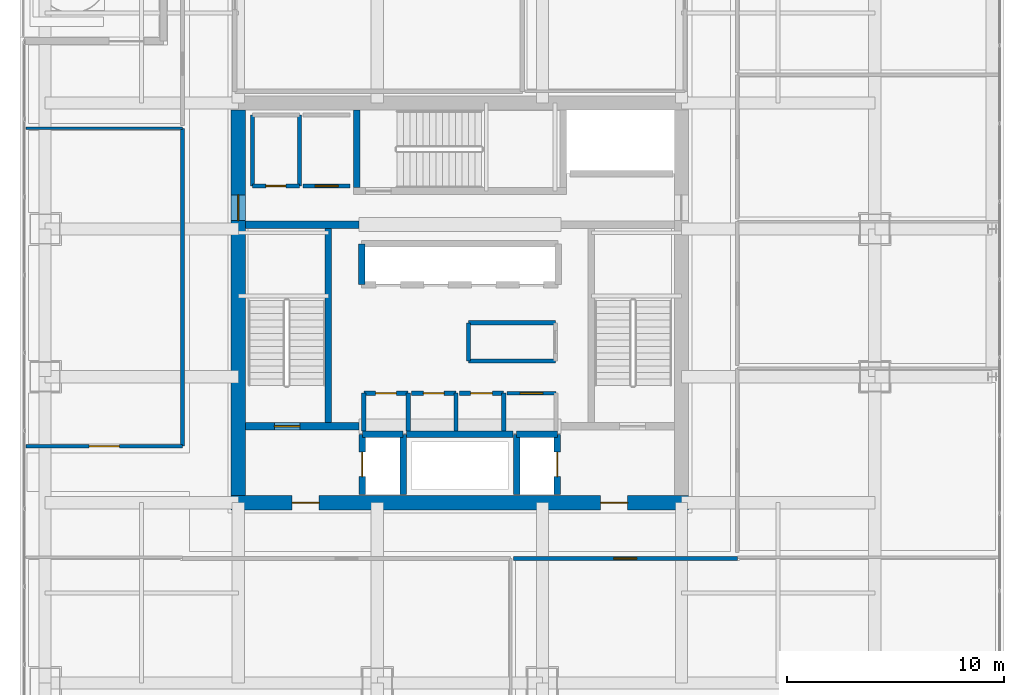
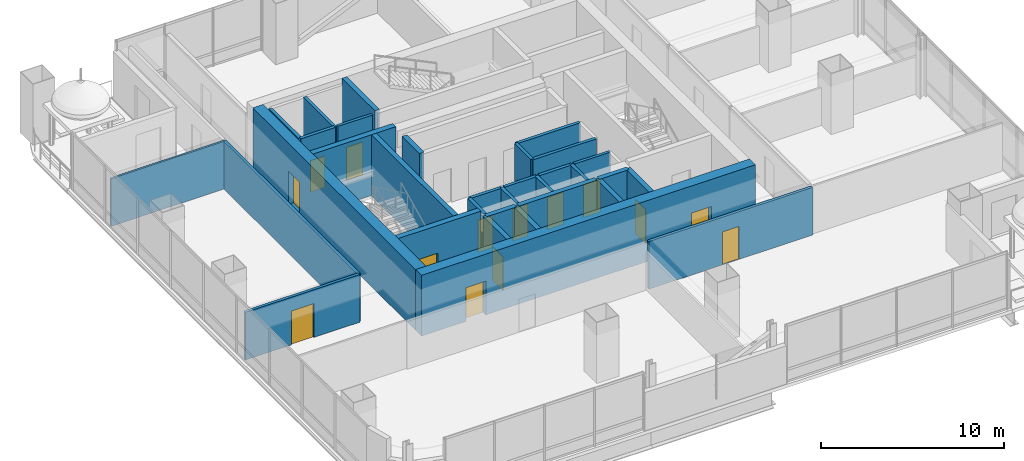
# One storey, part 30 of 41: 33 walls, 14 doors, 14 openings.
"""IFC4 building model written with IfcOpenShell, lengths in metres."""

from ifc_helpers import new_model, si_unit, direction, frame, frame_2d, origin, place, context, subcontext, project, spatial, rectangle, extrude, material, layer, layer_set, type_object, element, fill, save


model = new_model("IFC4")

# Units and contexts
model_context = context("Model", 3, precision=1e-05, world=origin(), true_north=direction((0.0, 1.0)))
body_context = subcontext(model_context, "Body", "Model", "MODEL_VIEW")
ifc_project = project(units=[si_unit("LENGTHUNIT", "METRE"), si_unit("AREAUNIT", "SQUARE_METRE"), si_unit("VOLUMEUNIT", "CUBIC_METRE"), si_unit("PLANEANGLEUNIT", "RADIAN"), si_unit("MASSUNIT", "GRAM", prefix="KILO")], contexts=[model_context])

# Site, building, storey
site_placement = place(None, origin())
site = spatial("IfcSite", under=ifc_project, at=site_placement, CompositionType="ELEMENT")
building_placement = place(site_placement, origin())
building = spatial("IfcBuilding", under=site, at=building_placement, Name="Punatoya Terracotta Tower", CompositionType="ELEMENT")
storey_placement = place(building_placement, frame((0.0, 0.0, 220.800048828125)))
storey = spatial("IfcBuildingStorey", under=building, at=storey_placement, Name="L52", CompositionType="ELEMENT", Elevation=220.800048828125)

# Wall, openings, doors
ifc_material_1 = material(Name="Concrete C60/75", Category="concrete")
ifc_layer_1 = layer(ifc_material_1, 0.64990234375)
ifc_layer_set_1 = layer_set([ifc_layer_1], Name="Concrete C60/75")
wall_type_1 = type_object("IfcWallType", Name="WL-COR-650", PredefinedType="SHEAR", material=ifc_layer_set_1)
wall_1_placement = place(storey_placement, frame((10.52490234375, -9.199951171875, 0.0), z_axis=(0.0, 0.0, 1.0), x_axis=(-1.0, 0.0, 0.0)))
wall_1 = element("IfcWall", 1, at=wall_1_placement, inside=storey, type_object=wall_type_1, Name="L52 Core Shear Wall S", PredefinedType="SHEAR", context=body_context, shape_type="SweptSolid", body=[
    extrude(rectangle(XDim=21.0498046875, YDim=0.64990234375, at=frame_2d((10.52490234375, 0.0))), origin(), (0.0, 0.0, 1.0), 4.050048828125),
])
opening_1_placement = place(wall_1_placement, frame((2.800048828125, 0.0, 0.0)))
opening_1 = element("IfcOpeningElement", 2, at=opening_1_placement, cuts=wall_1, Name="Opening FD-L1", PredefinedType="OPENING", context=body_context, shape_type="SweptSolid", body=[
    extrude(rectangle(XDim=1.25, YDim=2.25, at=frame_2d((0.625, 1.125))), frame((0.0, 0.3349609375, 0.0), z_axis=(0.0, -1.0, 0.0), x_axis=(1.0, 0.0, 0.0)), (0.0, 0.0, 1.0), 0.669921875),
])
opening_2_placement = place(wall_1_placement, frame((17.0, 0.0, 0.0)))
opening_2 = element("IfcOpeningElement", 3, at=opening_2_placement, cuts=wall_1, Name="Opening FD-L1", PredefinedType="OPENING", context=body_context, shape_type="SweptSolid", body=[
    extrude(rectangle(XDim=1.25, YDim=2.25, at=frame_2d((0.625, 1.125))), frame((0.0, 0.3349609375, 0.0), z_axis=(0.0, -1.0, 0.0), x_axis=(1.0, 0.0, 0.0)), (0.0, 0.0, 1.0), 0.669921875),
])
ifc_material_2 = material(Name="Galvanised Steel Smokeproof Fire Door", Category="steel")
door_type_1 = type_object("IfcDoorType", Name="DR-FFL-1250", OperationType="NOTDEFINED", PredefinedType="DOOR", material=ifc_material_2)
door_1_placement = place(opening_1_placement, origin())
door_1 = element("IfcDoor", 4, at=door_1_placement, inside=storey, type_object=door_type_1, Name="L52 East Firefighting Lobby Corridor Fire Door", OperationType="SINGLE_SWING_LEFT", OverallHeight=2.25, OverallWidth=1.25, PredefinedType="DOOR", context=body_context, shape_type="SweptSolid", body=[
    extrude(rectangle(XDim=1.25, YDim=2.25, at=frame_2d((0.625, 1.125))), frame((0.0, 0.02490234375, 0.0), z_axis=(0.0, -1.0, 0.0), x_axis=(1.0, 0.0, 0.0)), (0.0, 0.0, 1.0), 0.050048828125),
])
fill(opening_1, door_1)
door_2_placement = place(opening_2_placement, origin())
door_2 = element("IfcDoor", 5, at=door_2_placement, inside=storey, type_object=door_type_1, Name="L52 West Firefighting Lobby Corridor Fire Door", OperationType="SINGLE_SWING_RIGHT", OverallHeight=2.25, OverallWidth=1.25, PredefinedType="DOOR", context=body_context, shape_type="SweptSolid", body=[
    extrude(rectangle(XDim=1.25, YDim=2.25, at=frame_2d((0.625, 1.125))), frame((0.0, 0.02490234375, 0.0), z_axis=(0.0, -1.0, 0.0), x_axis=(1.0, 0.0, 0.0)), (0.0, 0.0, 1.0), 0.050048828125),
])
fill(opening_2, door_2)

# Wall, opening, door
wall_2_placement = place(storey_placement, frame((-10.199951171875, -8.875, 0.0), z_axis=(0.0, 0.0, 1.0), x_axis=(0.0, 1.0, 0.0)))
wall_2 = element("IfcWall", 6, at=wall_2_placement, inside=storey, type_object=wall_type_1, Name="L52 Core Shear Wall W", PredefinedType="SHEAR", context=body_context, shape_type="SweptSolid", body=[
    extrude(rectangle(XDim=17.75, YDim=0.64990234375, at=frame_2d((8.875, 0.0))), origin(), (0.0, 0.0, 1.0), 4.050048828125),
])
opening_3_placement = place(wall_2_placement, frame((12.6650390625, 0.0, 0.0)))
opening_3 = element("IfcOpeningElement", 7, at=opening_3_placement, cuts=wall_2, Name="Opening SD-01", PredefinedType="OPENING", context=body_context, shape_type="SweptSolid", body=[
    extrude(rectangle(XDim=1.179931640625, YDim=2.199951171875, at=frame_2d((0.58984375, 1.10009765625))), frame((0.0, 0.3349609375, 0.0), z_axis=(0.0, -1.0, 0.0), x_axis=(1.0, 0.0, 0.0)), (0.0, 0.0, 1.0), 0.669921875),
])
ifc_material_3 = material(Name="Galvanised Steel Pressurized Stair Fire Door", Category="steel")
door_type_2 = type_object("IfcDoorType", Name="DR-STR-1180", OperationType="NOTDEFINED", PredefinedType="DOOR", material=ifc_material_3)
door_3_placement = place(opening_3_placement, origin())
door_3 = element("IfcDoor", 8, at=door_3_placement, inside=storey, type_object=door_type_2, Name="L52 Central Lift Lobby West Fire Door", OperationType="SINGLE_SWING_LEFT", OverallHeight=2.199951171875, OverallWidth=1.179931640625, PredefinedType="DOOR", context=body_context, shape_type="SweptSolid", body=[
    extrude(rectangle(XDim=1.179931640625, YDim=2.199951171875, at=frame_2d((0.58984375, 1.10009765625))), frame((0.0, 0.02490234375, 0.0), z_axis=(0.0, -1.0, 0.0), x_axis=(1.0, 0.0, 0.0)), (0.0, 0.0, 1.0), 0.050048828125),
])
fill(opening_3, door_3)

ifc_material_4 = material(Name="Gypsum Fireboard + Steel Stud", Category="steel")
ifc_layer_2 = layer(ifc_material_4, 0.179931640625)
ifc_layer_set_2 = layer_set([ifc_layer_2], Name="Gypsum Fireboard + Steel Stud")
wall_type_2 = type_object("IfcWallType", Name="WL-CORR-180", PredefinedType="PARTITIONING", material=ifc_layer_set_2)
wall_3_placement = place(storey_placement, frame((4.419921875, -4.159912109375, 0.0), z_axis=(0.0, 0.0, 1.0), x_axis=(-1.0, 0.0, 0.0)))
wall_3 = element("IfcWall", 9, at=wall_3_placement, inside=storey, type_object=wall_type_2, Name="L52 Core Reprographics Studio Partition 09", PredefinedType="PARTITIONING", context=body_context, shape_type="SweptSolid", body=[
    extrude(rectangle(XDim=2.239990234375, YDim=0.179931640625, at=frame_2d((1.1201171875, 0.0))), origin(), (0.0, 0.0, 1.0), 3.829833984375),
])
opening_4_placement = place(wall_3_placement, frame((0.594970703125, 0.0, 0.0)))
opening_4 = element("IfcOpeningElement", 10, at=opening_4_placement, cuts=wall_3, Name="Opening OD-01", PredefinedType="OPENING", context=body_context, shape_type="SweptSolid", body=[
    extrude(rectangle(XDim=1.050048828125, YDim=2.199951171875, at=frame_2d((0.52490234375, 1.10009765625))), frame((0.0, 0.099853515625, 0.0), z_axis=(0.0, -1.0, 0.0), x_axis=(1.0, 0.0, 0.0)), (0.0, 0.0, 1.0), 0.199951171875),
])
ifc_material_5 = material(Name="Bengal Teak Solid-Core Leaf")
door_type_3 = type_object("IfcDoorType", Name="DR-OFF-1050", OperationType="NOTDEFINED", PredefinedType="DOOR", material=ifc_material_5)
door_4_placement = place(opening_4_placement, origin())
door_4 = element("IfcDoor", 11, at=door_4_placement, inside=storey, type_object=door_type_3, Name="L52 Reprographics Studio Door", OperationType="SINGLE_SWING_LEFT", OverallHeight=2.199951171875, OverallWidth=1.050048828125, PredefinedType="DOOR", context=body_context, shape_type="SweptSolid", body=[
    extrude(rectangle(XDim=1.050048828125, YDim=2.199951171875, at=frame_2d((0.52490234375, 1.10009765625))), frame((0.0, 0.02490234375, 0.0), z_axis=(0.0, -1.0, 0.0), x_axis=(1.0, 0.0, 0.0)), (0.0, 0.0, 1.0), 0.050048828125),
])
fill(opening_4, door_4)

wall_4_placement = place(storey_placement, frame((-7.219970703125, 5.3798828125, 0.0), z_axis=(0.0, 0.0, 1.0), x_axis=(1.0, 0.0, 0.0)))
wall_4 = element("IfcWall", 12, at=wall_4_placement, inside=storey, type_object=wall_type_2, Name="L52 West Core Print Room Partition 19", PredefinedType="PARTITIONING", context=body_context, shape_type="SweptSolid", body=[
    extrude(rectangle(XDim=2.169921875, YDim=0.179931640625, at=frame_2d((1.0849609375, 0.0))), origin(), (0.0, 0.0, 1.0), 3.829833984375),
])
opening_5_placement = place(wall_4_placement, frame((0.56005859375, 0.0, 0.0)))
opening_5 = element("IfcOpeningElement", 13, at=opening_5_placement, cuts=wall_4, Name="Opening OD-01", PredefinedType="OPENING", context=body_context, shape_type="SweptSolid", body=[
    extrude(rectangle(XDim=1.050048828125, YDim=2.199951171875, at=frame_2d((0.52490234375, 1.10009765625))), frame((0.0, 0.099853515625, 0.0), z_axis=(0.0, -1.0, 0.0), x_axis=(1.0, 0.0, 0.0)), (0.0, 0.0, 1.0), 0.199951171875),
])
door_5_placement = place(opening_5_placement, origin())
door_5 = element("IfcDoor", 14, at=door_5_placement, inside=storey, type_object=door_type_3, Name="L52 West Print Room Door", OperationType="SINGLE_SWING_RIGHT", OverallHeight=2.199951171875, OverallWidth=1.050048828125, PredefinedType="DOOR", context=body_context, shape_type="SweptSolid", body=[
    extrude(rectangle(XDim=1.050048828125, YDim=2.199951171875, at=frame_2d((0.52490234375, 1.10009765625))), frame((0.0, 0.02490234375, 0.0), z_axis=(0.0, -1.0, 0.0), x_axis=(1.0, 0.0, 0.0)), (0.0, 0.0, 1.0), 0.050048828125),
])
fill(opening_5, door_5)

wall_5_placement = place(storey_placement, frame((2.4599609375, -11.77001953125, 0.0), z_axis=(0.0, 0.0, 1.0), x_axis=(1.0, 0.0, 0.0)))
wall_5 = element("IfcWall", 15, at=wall_5_placement, inside=storey, type_object=wall_type_2, Name="L52 Cartography Reference Library Partition 24", PredefinedType="PARTITIONING", context=body_context, shape_type="SweptSolid", body=[
    extrude(rectangle(XDim=10.31005859375, YDim=0.179931640625, at=frame_2d((5.155029296875, 0.0))), origin(), (0.0, 0.0, 1.0), 3.174072265625),
])
opening_6_placement = place(wall_5_placement, frame((4.6298828125, 0.0, 0.0)))
opening_6 = element("IfcOpeningElement", 16, at=opening_6_placement, cuts=wall_5, Name="Opening OD-01", PredefinedType="OPENING", context=body_context, shape_type="SweptSolid", body=[
    extrude(rectangle(XDim=1.050048828125, YDim=2.199951171875, at=frame_2d((0.52490234375, 1.10009765625))), frame((0.0, 0.099853515625, 0.0), z_axis=(0.0, -1.0, 0.0), x_axis=(1.0, 0.0, 0.0)), (0.0, 0.0, 1.0), 0.199951171875),
])
door_6_placement = place(opening_6_placement, origin())
door_6 = element("IfcDoor", 17, at=door_6_placement, inside=storey, type_object=door_type_3, Name="L52 Cartography Reference Library Door", OperationType="SINGLE_SWING_RIGHT", OverallHeight=2.199951171875, OverallWidth=1.050048828125, PredefinedType="DOOR", context=body_context, shape_type="SweptSolid", body=[
    extrude(rectangle(XDim=1.050048828125, YDim=2.199951171875, at=frame_2d((0.52490234375, 1.10009765625))), frame((0.0, 0.02490234375, 0.0), z_axis=(0.0, -1.0, 0.0), x_axis=(1.0, 0.0, 0.0)), (0.0, 0.0, 1.0), 0.050048828125),
])
fill(opening_6, door_6)

wall_6_placement = place(storey_placement, frame((-12.77001953125, -6.60009765625, 0.0), z_axis=(0.0, 0.0, 1.0), x_axis=(-1.0, 0.0, 0.0)))
wall_6 = element("IfcWall", 18, at=wall_6_placement, inside=storey, type_object=wall_type_2, Name="L52 Open-Plan Technical Seminar Room Partition 29", PredefinedType="PARTITIONING", context=body_context, shape_type="SweptSolid", body=[
    extrude(rectangle(XDim=7.199951171875, YDim=0.179931640625, at=frame_2d((3.60009765625, 0.0))), origin(), (0.0, 0.0, 1.0), 3.174072265625),
])
opening_7_placement = place(wall_6_placement, frame((2.89990234375, 0.0, 0.0)))
opening_7 = element("IfcOpeningElement", 19, at=opening_7_placement, cuts=wall_6, Name="Opening BD-01", PredefinedType="OPENING", context=body_context, shape_type="SweptSolid", body=[
    extrude(rectangle(XDim=1.39990234375, YDim=2.25, at=frame_2d((0.699951171875, 1.125))), frame((0.0, 0.099853515625, 0.0), z_axis=(0.0, -1.0, 0.0), x_axis=(1.0, 0.0, 0.0)), (0.0, 0.0, 1.0), 0.199951171875),
])
ifc_material_6 = material(Name="Bengal Teak Acoustic Leaf")
door_type_4 = type_object("IfcDoorType", Name="DR-BRD-1400", OperationType="NOTDEFINED", PredefinedType="DOOR", material=ifc_material_6)
door_7_placement = place(opening_7_placement, origin())
door_7 = element("IfcDoor", 20, at=door_7_placement, inside=storey, type_object=door_type_4, Name="L52 Open-Plan Technical Seminar Room Door", OperationType="SINGLE_SWING_LEFT", OverallHeight=2.25, OverallWidth=1.39990234375, PredefinedType="DOOR", context=body_context, shape_type="SweptSolid", body=[
    extrude(rectangle(XDim=1.39990234375, YDim=2.25, at=frame_2d((0.699951171875, 1.125))), frame((0.0, 0.02490234375, 0.0), z_axis=(0.0, -1.0, 0.0), x_axis=(1.0, 0.0, 0.0)), (0.0, 0.0, 1.0), 0.050048828125),
])
fill(opening_7, door_7)

# Walls
wall_7_placement = place(storey_placement, frame((-12.77001953125, 8.0380859375, 0.0), z_axis=(0.0, 0.0, 1.0), x_axis=(0.0, -1.0, 0.0)))
element("IfcWall", 21, at=wall_7_placement, inside=storey, type_object=wall_type_2, Name="L52 Open-Plan Technical Seminar Room Partition 31", PredefinedType="PARTITIONING", context=body_context, shape_type="SweptSolid", body=[
    extrude(rectangle(XDim=14.63818359375, YDim=0.179931640625, at=frame_2d((7.319091796875, 0.0))), origin(), (0.0, 0.0, 1.0), 3.174072265625),
])
ifc_material_7 = material(Name="Concrete C40/50", Category="concrete")
ifc_layer_3 = layer(ifc_material_7, 0.199951171875)
ifc_layer_set_3 = layer_set([ifc_layer_3], Name="Concrete C40/50")
wall_type_3 = type_object("IfcWallType", Name="WL-INT-200", PredefinedType="SOLIDWALL", material=ifc_layer_set_3)
wall_8_placement = place(storey_placement, frame((-2.3798828125, -5.89990234375, 0.0), z_axis=(0.0, 0.0, 1.0), x_axis=(0.0, 1.0, 0.0)))
element("IfcWall", 22, at=wall_8_placement, inside=storey, type_object=wall_type_3, Name="L52 Male Washroom Partition 01", PredefinedType="SOLIDWALL", context=body_context, shape_type="SweptSolid", body=[
    extrude(rectangle(XDim=1.739990234375, YDim=0.199951171875, at=frame_2d((0.8701171875, 0.0))), origin(), (0.0, 0.0, 1.0), 3.829833984375),
])

# Wall, opening, door
wall_9_placement = place(storey_placement, frame((-2.3798828125, -4.159912109375, 0.0), z_axis=(0.0, 0.0, 1.0), x_axis=(-1.0, 0.0, 0.0)))
wall_9 = element("IfcWall", 23, at=wall_9_placement, inside=storey, type_object=wall_type_3, Name="L52 Male Washroom Partition 02", PredefinedType="SOLIDWALL", context=body_context, shape_type="SweptSolid", body=[
    extrude(rectangle(XDim=2.0400390625, YDim=0.199951171875, at=frame_2d((1.02001953125, 0.0))), origin(), (0.0, 0.0, 1.0), 3.829833984375),
])
opening_8_placement = place(wall_9_placement, frame((0.544921875, 0.0, 0.0)))
opening_8 = element("IfcOpeningElement", 24, at=opening_8_placement, cuts=wall_9, Name="Opening WD-01", PredefinedType="OPENING", context=body_context, shape_type="SweptSolid", body=[
    extrude(rectangle(XDim=0.949951171875, YDim=2.14990234375, at=frame_2d((0.47509765625, 1.074951171875))), frame((0.0, 0.10986328125, 0.0), z_axis=(0.0, -1.0, 0.0), x_axis=(1.0, 0.0, 0.0)), (0.0, 0.0, 1.0), 0.219970703125),
])
ifc_material_8 = material(Name="Moisture-Resistant Laminate Timber Leaf", Category="wood")
door_type_5 = type_object("IfcDoorType", Name="DR-WC-950", OperationType="NOTDEFINED", PredefinedType="DOOR", material=ifc_material_8)
door_8_placement = place(opening_8_placement, origin())
door_8 = element("IfcDoor", 25, at=door_8_placement, inside=storey, type_object=door_type_5, Name="L52 Male Washroom Door", OperationType="SINGLE_SWING_RIGHT", OverallHeight=2.14990234375, OverallWidth=0.949951171875, PredefinedType="DOOR", context=body_context, shape_type="SweptSolid", body=[
    extrude(rectangle(XDim=0.949951171875, YDim=2.14990234375, at=frame_2d((0.47509765625, 1.074951171875))), frame((0.0, 0.02490234375, 0.0), z_axis=(0.0, -1.0, 0.0), x_axis=(1.0, 0.0, 0.0)), (0.0, 0.0, 1.0), 0.050048828125),
])
fill(opening_8, door_8)

# Walls
for number, where, z_axis, x_axis, name in (
    (26, (-4.419921875, -4.159912109375, 0.0), (0.0, 0.0, 1.0), (0.0, -1.0, 0.0), "L52 Male Washroom Partition 03"),
    (27, (-0.179931640625, -5.89990234375, 0.0), (0.0, 0.0, 1.0), (0.0, 1.0, 0.0), "L52 Female Washroom Partition 04"),
):
    element("IfcWall", number, at=place(storey_placement, frame(where, z_axis=z_axis, x_axis=x_axis)), inside=storey, type_object=wall_type_3, Name=name, PredefinedType="SOLIDWALL", context=body_context, shape_type="SweptSolid", body=[
        extrude(rectangle(XDim=1.739990234375, YDim=0.199951171875, at=frame_2d((0.8701171875, 0.0))), origin(), (0.0, 0.0, 1.0), 3.829833984375),
    ])

# Wall, opening, door
wall_10_placement = place(storey_placement, frame((-0.179931640625, -4.159912109375, 0.0), z_axis=(0.0, 0.0, 1.0), x_axis=(-1.0, 0.0, 0.0)))
wall_10 = element("IfcWall", 28, at=wall_10_placement, inside=storey, type_object=wall_type_3, Name="L52 Female Washroom Partition 05", PredefinedType="SOLIDWALL", context=body_context, shape_type="SweptSolid", body=[
    extrude(rectangle(XDim=2.0400390625, YDim=0.199951171875, at=frame_2d((1.02001953125, 0.0))), origin(), (0.0, 0.0, 1.0), 3.829833984375),
])
opening_9_placement = place(wall_10_placement, frame((0.544921875, 0.0, 0.0)))
opening_9 = element("IfcOpeningElement", 29, at=opening_9_placement, cuts=wall_10, Name="Opening WD-01", PredefinedType="OPENING", context=body_context, shape_type="SweptSolid", body=[
    extrude(rectangle(XDim=0.949951171875, YDim=2.14990234375, at=frame_2d((0.47509765625, 1.074951171875))), frame((0.0, 0.10986328125, 0.0), z_axis=(0.0, -1.0, 0.0), x_axis=(1.0, 0.0, 0.0)), (0.0, 0.0, 1.0), 0.219970703125),
])
door_9_placement = place(opening_9_placement, origin())
door_9 = element("IfcDoor", 30, at=door_9_placement, inside=storey, type_object=door_type_5, Name="L52 Female Washroom Door", OperationType="SINGLE_SWING_LEFT", OverallHeight=2.14990234375, OverallWidth=0.949951171875, PredefinedType="DOOR", context=body_context, shape_type="SweptSolid", body=[
    extrude(rectangle(XDim=0.949951171875, YDim=2.14990234375, at=frame_2d((0.47509765625, 1.074951171875))), frame((0.0, 0.02490234375, 0.0), z_axis=(0.0, -1.0, 0.0), x_axis=(1.0, 0.0, 0.0)), (0.0, 0.0, 1.0), 0.050048828125),
])
fill(opening_9, door_9)

# Wall
wall_11_placement = place(storey_placement, frame((2.02001953125, -5.89990234375, 0.0), z_axis=(0.0, 0.0, 1.0), x_axis=(0.0, 1.0, 0.0)))
element("IfcWall", 31, at=wall_11_placement, inside=storey, type_object=wall_type_3, Name="L52 Accessible Universal Washroom Partition 06", PredefinedType="SOLIDWALL", context=body_context, shape_type="SweptSolid", body=[
    extrude(rectangle(XDim=1.739990234375, YDim=0.199951171875, at=frame_2d((0.8701171875, 0.0))), origin(), (0.0, 0.0, 1.0), 3.829833984375),
])

# Wall, opening, door
wall_12_placement = place(storey_placement, frame((2.02001953125, -4.159912109375, 0.0), z_axis=(0.0, 0.0, 1.0), x_axis=(-1.0, 0.0, 0.0)))
wall_12 = element("IfcWall", 32, at=wall_12_placement, inside=storey, type_object=wall_type_3, Name="L52 Accessible Universal Washroom Partition 07", PredefinedType="SOLIDWALL", context=body_context, shape_type="SweptSolid", body=[
    extrude(rectangle(XDim=2.0400390625, YDim=0.199951171875, at=frame_2d((1.02001953125, 0.0))), origin(), (0.0, 0.0, 1.0), 3.829833984375),
])
opening_10_placement = place(wall_12_placement, frame((0.52001953125, 0.0, 0.0)))
opening_10 = element("IfcOpeningElement", 33, at=opening_10_placement, cuts=wall_12, Name="Opening AWD-1", PredefinedType="OPENING", context=body_context, shape_type="SweptSolid", body=[
    extrude(rectangle(XDim=1.0, YDim=2.14990234375, at=frame_2d((0.5, 1.074951171875))), frame((0.0, 0.10986328125, 0.0), z_axis=(0.0, -1.0, 0.0), x_axis=(1.0, 0.0, 0.0)), (0.0, 0.0, 1.0), 0.219970703125),
])
ifc_material_9 = material(Name="Bengal Teak Accessible WC Leaf")
door_type_6 = type_object("IfcDoorType", Name="DR-ACC-1000", OperationType="NOTDEFINED", PredefinedType="DOOR", material=ifc_material_9)
door_10_placement = place(opening_10_placement, origin())
door_10 = element("IfcDoor", 34, at=door_10_placement, inside=storey, type_object=door_type_6, Name="L52 Accessible Universal Washroom Door", OperationType="SINGLE_SWING_RIGHT", OverallHeight=2.14990234375, OverallWidth=1.0, PredefinedType="DOOR", context=body_context, shape_type="SweptSolid", body=[
    extrude(rectangle(XDim=1.0, YDim=2.14990234375, at=frame_2d((0.5, 1.074951171875))), frame((0.0, 0.02490234375, 0.0), z_axis=(0.0, -1.0, 0.0), x_axis=(1.0, 0.0, 0.0)), (0.0, 0.0, 1.0), 0.050048828125),
])
fill(opening_10, door_10)

# Walls
wall_13_placement = place(storey_placement, frame((4.39990234375, -0.919921875, 0.0), z_axis=(0.0, 0.0, 1.0), x_axis=(-1.0, 0.0, 0.0)))
element("IfcWall", 35, at=wall_13_placement, inside=storey, type_object=wall_type_3, Name="L52 East Core Tea Pantry Partition 11", PredefinedType="SOLIDWALL", context=body_context, shape_type="SweptSolid", body=[
    extrude(rectangle(XDim=4.0, YDim=0.199951171875, at=frame_2d((2.0, 0.0))), origin(), (0.0, 0.0, 1.0), 3.829833984375),
])
wall_14_placement = place(storey_placement, frame((0.39990234375, -0.919921875, 0.0), z_axis=(0.0, 0.0, 1.0), x_axis=(0.0, -1.0, 0.0)))
element("IfcWall", 36, at=wall_14_placement, inside=storey, type_object=wall_type_3, Name="L52 East Core Tea Pantry Partition 12", PredefinedType="SOLIDWALL", context=body_context, shape_type="SweptSolid", body=[
    extrude(rectangle(XDim=1.760009765625, YDim=0.199951171875, at=frame_2d((0.8798828125, 0.0))), origin(), (0.0, 0.0, 1.0), 3.829833984375),
])
wall_15_placement = place(storey_placement, frame((0.39990234375, -2.679931640625, 0.0), z_axis=(0.0, 0.0, 1.0), x_axis=(1.0, 0.0, 0.0)))
element("IfcWall", 37, at=wall_15_placement, inside=storey, type_object=wall_type_3, Name="L52 East Core Tea Pantry Partition 13", PredefinedType="SOLIDWALL", context=body_context, shape_type="SweptSolid", body=[
    extrude(rectangle(XDim=4.0, YDim=0.199951171875, at=frame_2d((2.0, 0.0))), origin(), (0.0, 0.0, 1.0), 3.829833984375),
])
for number, where, z_axis, x_axis, name in (
    (38, (-7.3798828125, 5.3798828125, 0.0), (0.0, 0.0, 1.0), (0.0, 1.0, 0.0), "L52 West Core Archive Vault Partition 14"),
    (39, (-9.550048828125, 8.64990234375, 0.0), (0.0, 0.0, 1.0), (0.0, -1.0, 0.0), "L52 West Core Archive Vault Partition 16"),
):
    element("IfcWall", number, at=place(storey_placement, frame(where, z_axis=z_axis, x_axis=x_axis)), inside=storey, type_object=wall_type_3, Name=name, PredefinedType="SOLIDWALL", context=body_context, shape_type="SweptSolid", body=[
        extrude(rectangle(XDim=3.27001953125, YDim=0.199951171875, at=frame_2d((1.635009765625, 0.0))), origin(), (0.0, 0.0, 1.0), 3.829833984375),
    ])

# Wall, opening, door
wall_16_placement = place(storey_placement, frame((-9.550048828125, 5.3798828125, 0.0), z_axis=(0.0, 0.0, 1.0), x_axis=(1.0, 0.0, 0.0)))
wall_16 = element("IfcWall", 40, at=wall_16_placement, inside=storey, type_object=wall_type_3, Name="L52 West Core Archive Vault Partition 17", PredefinedType="SOLIDWALL", context=body_context, shape_type="SweptSolid", body=[
    extrude(rectangle(XDim=2.170166015625, YDim=0.199951171875, at=frame_2d((1.0849609375, 0.0))), origin(), (0.0, 0.0, 1.0), 3.829833984375),
])
opening_11_placement = place(wall_16_placement, frame((0.625, 0.0, 0.0)))
opening_11 = element("IfcOpeningElement", 41, at=opening_11_placement, cuts=wall_16, Name="Opening FD-R1", PredefinedType="OPENING", context=body_context, shape_type="SweptSolid", body=[
    extrude(rectangle(XDim=0.919921875, YDim=2.10009765625, at=frame_2d((0.4599609375, 1.050048828125))), frame((0.0, 0.10986328125, 0.0), z_axis=(0.0, -1.0, 0.0), x_axis=(1.0, 0.0, 0.0)), (0.0, 0.0, 1.0), 0.219970703125),
])
ifc_material_10 = material(Name="Galvanised Steel Riser Fire Access Door", Category="steel")
door_type_7 = type_object("IfcDoorType", Name="DR-RSR-920", OperationType="NOTDEFINED", PredefinedType="DOOR", material=ifc_material_10)
door_11_placement = place(opening_11_placement, origin())
door_11 = element("IfcDoor", 42, at=door_11_placement, inside=storey, type_object=door_type_7, Name="L52 West Core Archive Vault Fire Door", OperationType="SINGLE_SWING_LEFT", OverallHeight=2.10009765625, OverallWidth=0.919921875, PredefinedType="DOOR", context=body_context, shape_type="SweptSolid", body=[
    extrude(rectangle(XDim=0.919921875, YDim=2.10009765625, at=frame_2d((0.4599609375, 1.050048828125))), frame((0.0, 0.02490234375, 0.0), z_axis=(0.0, -1.0, 0.0), x_axis=(1.0, 0.0, 0.0)), (0.0, 0.0, 1.0), 0.050048828125),
])
fill(opening_11, door_11)

# Walls
ifc_material_11 = material(Name="Gypsum Partition + Steel Stud", Category="steel")
ifc_layer_4 = layer(ifc_material_11, 0.1201171875)
ifc_layer_set_4 = layer_set([ifc_layer_4], Name="Gypsum Partition + Steel Stud")
wall_type_4 = type_object("IfcWallType", Name="WL-OFF-120", PredefinedType="PARTITIONING", material=ifc_layer_set_4)
wall_17_placement = place(storey_placement, frame((-19.969970703125, 8.0380859375, 0.0), z_axis=(0.0, 0.0, 1.0), x_axis=(1.0, 0.0, 0.0)))
element("IfcWall", 43, at=wall_17_placement, inside=storey, type_object=wall_type_4, Name="L52 Open-Plan Technical Seminar Room Partition 30", PredefinedType="PARTITIONING", context=body_context, shape_type="SweptSolid", body=[
    extrude(rectangle(XDim=7.199951171875, YDim=0.1201171875, at=frame_2d((3.60009765625, 0.0))), origin(), (0.0, 0.0, 1.0), 3.174072265625),
])
ifc_layer_5 = layer(ifc_material_7, 0.300048828125)
ifc_layer_set_5 = layer_set([ifc_layer_5], Name="Concrete C40/50")
wall_type_5 = type_object("IfcWallType", Name="WL-SHF-300", PredefinedType="SOLIDWALL", material=ifc_layer_set_5)
wall_18_placement = place(storey_placement, frame((-6.050048828125, -5.5, 0.0), z_axis=(0.0, 0.0, 1.0), x_axis=(0.0, 1.0, 0.0)))
element("IfcWall", 44, at=wall_18_placement, inside=storey, type_object=wall_type_5, Name="L52 Structural Stair Shaft Wall SW-ST1-E", PredefinedType="SOLIDWALL", context=body_context, shape_type="SweptSolid", body=[
    extrude(rectangle(XDim=8.949951171875, YDim=0.300048828125, at=frame_2d((4.47509765625, 0.0))), origin(), (0.0, 0.0, 1.0), 4.050048828125),
])
wall_19_placement = place(storey_placement, frame((-4.75, 5.300048828125, 0.0), z_axis=(0.0, 0.0, 1.0), x_axis=(0.0, 1.0, 0.0)))
element("IfcWall", 45, at=wall_19_placement, inside=storey, type_object=wall_type_5, Name="L52 Structural Stair Shaft Wall SW-ST3-W", PredefinedType="SOLIDWALL", context=body_context, shape_type="SweptSolid", body=[
    extrude(rectangle(XDim=3.574951171875, YDim=0.300048828125, at=frame_2d((1.78759765625, 0.0))), origin(), (0.0, 0.0, 1.0), 4.050048828125),
])

# Wall, opening, door
wall_20_placement = place(storey_placement, frame((-4.489990234375, -8.820068359375, 0.0), z_axis=(0.0, 0.0, 1.0), x_axis=(0.0, 1.0, 0.0)))
wall_20 = element("IfcWall", 46, at=wall_20_placement, inside=storey, type_object=wall_type_5, Name="L52 FFL-1 Front Hoistway Wall", PredefinedType="SOLIDWALL", context=body_context, shape_type="SweptSolid", body=[
    extrude(rectangle(XDim=2.77001953125, YDim=0.300048828125, at=frame_2d((1.385009765625, 0.0))), origin(), (0.0, 0.0, 1.0), 3.829833984375),
])
opening_12_placement = place(wall_20_placement, frame((0.824951171875, 0.0, 0.0)))
opening_12 = element("IfcOpeningElement", 47, at=opening_12_placement, cuts=wall_20, Name="Opening LD-02", PredefinedType="OPENING", context=body_context, shape_type="SweptSolid", body=[
    extrude(rectangle(XDim=1.1201171875, YDim=2.25, at=frame_2d((0.56005859375, 1.125))), frame((0.0, 0.159912109375, 0.0), z_axis=(0.0, -1.0, 0.0), x_axis=(1.0, 0.0, 0.0)), (0.0, 0.0, 1.0), 0.320068359375),
])
ifc_material_12 = material(Name="Stainless Steel Lift Landing Door", Category="steel")
door_type_8 = type_object("IfcDoorType", Name="DR-LND-1120", OperationType="NOTDEFINED", PredefinedType="DOOR", material=ifc_material_12)
door_12_placement = place(opening_12_placement, origin())
door_12 = element("IfcDoor", 48, at=door_12_placement, inside=storey, type_object=door_type_8, Name="L52 Firefighting Lift FFL-1 Sliding Landing Door", OperationType="SLIDING_TO_LEFT", OverallHeight=2.25, OverallWidth=1.1201171875, PredefinedType="DOOR", context=body_context, shape_type="SweptSolid", body=[
    extrude(rectangle(XDim=1.1201171875, YDim=2.25, at=frame_2d((0.56005859375, 1.125))), frame((0.0, 0.02490234375, 0.0), z_axis=(0.0, -1.0, 0.0), x_axis=(1.0, 0.0, 0.0)), (0.0, 0.0, 1.0), 0.050048828125),
])
fill(opening_12, door_12)

# Walls
wall_21_placement = place(storey_placement, frame((-2.610107421875, -8.820068359375, 0.0), z_axis=(0.0, 0.0, 1.0), x_axis=(0.0, 1.0, 0.0)))
element("IfcWall", 49, at=wall_21_placement, inside=storey, type_object=wall_type_5, Name="L52 FFL-1 Rear Hoistway Wall", PredefinedType="SOLIDWALL", context=body_context, shape_type="SweptSolid", body=[
    extrude(rectangle(XDim=2.77001953125, YDim=0.300048828125, at=frame_2d((1.385009765625, 0.0))), origin(), (0.0, 0.0, 1.0), 3.829833984375),
])
wall_22_placement = place(storey_placement, frame((-4.489990234375, -6.050048828125, 0.0), z_axis=(0.0, 0.0, 1.0), x_axis=(1.0, 0.0, 0.0)))
element("IfcWall", 50, at=wall_22_placement, inside=storey, type_object=wall_type_5, Name="L52 FFL-1 North Hoistway Wall", PredefinedType="SOLIDWALL", context=body_context, shape_type="SweptSolid", body=[
    extrude(rectangle(XDim=1.8798828125, YDim=0.300048828125, at=frame_2d((0.93994140625, 0.0))), origin(), (0.0, 0.0, 1.0), 3.829833984375),
])

# Wall, opening, door
wall_23_placement = place(storey_placement, frame((4.489990234375, -8.820068359375, 0.0), z_axis=(0.0, 0.0, 1.0), x_axis=(0.0, 1.0, 0.0)))
wall_23 = element("IfcWall", 51, at=wall_23_placement, inside=storey, type_object=wall_type_5, Name="L52 FFL-2 Front Hoistway Wall", PredefinedType="SOLIDWALL", context=body_context, shape_type="SweptSolid", body=[
    extrude(rectangle(XDim=2.77001953125, YDim=0.300048828125, at=frame_2d((1.385009765625, 0.0))), origin(), (0.0, 0.0, 1.0), 3.829833984375),
])
opening_13_placement = place(wall_23_placement, frame((0.824951171875, 0.0, 0.0)))
opening_13 = element("IfcOpeningElement", 52, at=opening_13_placement, cuts=wall_23, Name="Opening LD-02", PredefinedType="OPENING", context=body_context, shape_type="SweptSolid", body=[
    extrude(rectangle(XDim=1.1201171875, YDim=2.25, at=frame_2d((0.56005859375, 1.125))), frame((0.0, 0.159912109375, 0.0), z_axis=(0.0, -1.0, 0.0), x_axis=(1.0, 0.0, 0.0)), (0.0, 0.0, 1.0), 0.320068359375),
])
door_13_placement = place(opening_13_placement, origin())
door_13 = element("IfcDoor", 53, at=door_13_placement, inside=storey, type_object=door_type_8, Name="L52 Firefighting Lift FFL-2 Sliding Landing Door", OperationType="SLIDING_TO_RIGHT", OverallHeight=2.25, OverallWidth=1.1201171875, PredefinedType="DOOR", context=body_context, shape_type="SweptSolid", body=[
    extrude(rectangle(XDim=1.1201171875, YDim=2.25, at=frame_2d((0.56005859375, 1.125))), frame((0.0, 0.02490234375, 0.0), z_axis=(0.0, -1.0, 0.0), x_axis=(1.0, 0.0, 0.0)), (0.0, 0.0, 1.0), 0.050048828125),
])
fill(opening_13, door_13)

# Walls
wall_24_placement = place(storey_placement, frame((2.610107421875, -8.820068359375, 0.0), z_axis=(0.0, 0.0, 1.0), x_axis=(0.0, 1.0, 0.0)))
element("IfcWall", 54, at=wall_24_placement, inside=storey, type_object=wall_type_5, Name="L52 FFL-2 Rear Hoistway Wall", PredefinedType="SOLIDWALL", context=body_context, shape_type="SweptSolid", body=[
    extrude(rectangle(XDim=2.77001953125, YDim=0.300048828125, at=frame_2d((1.385009765625, 0.0))), origin(), (0.0, 0.0, 1.0), 3.829833984375),
])
for number, where, z_axis, x_axis, name in (
    (55, (2.610107421875, -6.050048828125, 0.0), (0.0, 0.0, 1.0), (1.0, 0.0, 0.0), "L52 FFL-2 North Hoistway Wall"),
    (56, (-4.52001953125, 0.840087890625, 0.0), (0.0, 0.0, 1.0), (0.0, 1.0, 0.0), "L52 North Lift Bank West End Wall"),
):
    element("IfcWall", number, at=place(storey_placement, frame(where, z_axis=z_axis, x_axis=x_axis)), inside=storey, type_object=wall_type_5, Name=name, PredefinedType="SOLIDWALL", context=body_context, shape_type="SweptSolid", body=[
        extrude(rectangle(XDim=1.8798828125, YDim=0.300048828125, at=frame_2d((0.93994140625, 0.0))), origin(), (0.0, 0.0, 1.0), 3.829833984375),
    ])
wall_25_placement = place(storey_placement, frame((-2.449951171875, -6.050048828125, 0.0), z_axis=(0.0, 0.0, 1.0), x_axis=(1.0, 0.0, 0.0)))
element("IfcWall", 57, at=wall_25_placement, inside=storey, type_object=wall_type_5, Name="L52 Observation Shuttle Rear Hoistway Wall", PredefinedType="SOLIDWALL", context=body_context, shape_type="SweptSolid", body=[
    extrude(rectangle(XDim=4.89990234375, YDim=0.300048828125, at=frame_2d((2.449951171875, 0.0))), origin(), (0.0, 0.0, 1.0), 3.829833984375),
])

# Wall, opening, door
ifc_material_13 = material(Name="Concrete C50/60", Category="concrete")
ifc_layer_6 = layer(ifc_material_13, 0.35009765625)
ifc_layer_set_6 = layer_set([ifc_layer_6], Name="Concrete C50/60")
wall_type_6 = type_object("IfcWallType", Name="WL-SHF-350", PredefinedType="SOLIDWALL", material=ifc_layer_set_6)
wall_26_placement = place(storey_placement, frame((-9.875, -5.679931640625, 0.0), z_axis=(0.0, 0.0, 1.0), x_axis=(1.0, 0.0, 0.0)))
wall_26 = element("IfcWall", 58, at=wall_26_placement, inside=storey, type_object=wall_type_6, Name="L52 Core Web Wall CSW-L", PredefinedType="SOLIDWALL", context=body_context, shape_type="SweptSolid", body=[
    extrude(rectangle(XDim=5.22509765625, YDim=0.35009765625, at=frame_2d((2.612548828125, 0.0))), origin(), (0.0, 0.0, 1.0), 4.050048828125),
])
opening_14_placement = place(wall_26_placement, frame((1.3349609375, 0.0, 0.0)))
opening_14 = element("IfcOpeningElement", 59, at=opening_14_placement, cuts=wall_26, Name="Opening SD-01", PredefinedType="OPENING", context=body_context, shape_type="SweptSolid", body=[
    extrude(rectangle(XDim=1.179931640625, YDim=2.199951171875, at=frame_2d((0.58984375, 1.10009765625))), frame((0.0, 0.18505859375, 0.0), z_axis=(0.0, -1.0, 0.0), x_axis=(1.0, 0.0, 0.0)), (0.0, 0.0, 1.0), 0.3701171875),
])
door_14_placement = place(opening_14_placement, origin())
door_14 = element("IfcDoor", 60, at=door_14_placement, inside=storey, type_object=door_type_2, Name="L52 Stair ST-1 Smokeproof Lobby Fire Door", OperationType="SINGLE_SWING_LEFT", OverallHeight=2.199951171875, OverallWidth=1.179931640625, PredefinedType="DOOR", context=body_context, shape_type="SweptSolid", body=[
    extrude(rectangle(XDim=1.179931640625, YDim=2.199951171875, at=frame_2d((0.58984375, 1.10009765625))), frame((0.0, 0.02490234375, 0.0), z_axis=(0.0, -1.0, 0.0), x_axis=(1.0, 0.0, 0.0)), (0.0, 0.0, 1.0), 0.050048828125),
])
fill(opening_14, door_14)

# Wall
wall_27_placement = place(storey_placement, frame((-9.875, 3.60009765625, 0.0), z_axis=(0.0, 0.0, 1.0), x_axis=(1.0, 0.0, 0.0)))
element("IfcWall", 61, at=wall_27_placement, inside=storey, type_object=wall_type_6, Name="L52 Core Web Wall CNW-L", PredefinedType="SOLIDWALL", context=body_context, shape_type="SweptSolid", body=[
    extrude(rectangle(XDim=5.22509765625, YDim=0.35009765625, at=frame_2d((2.612548828125, 0.0))), origin(), (0.0, 0.0, 1.0), 4.050048828125),
])

save(model, "model.ifc")
